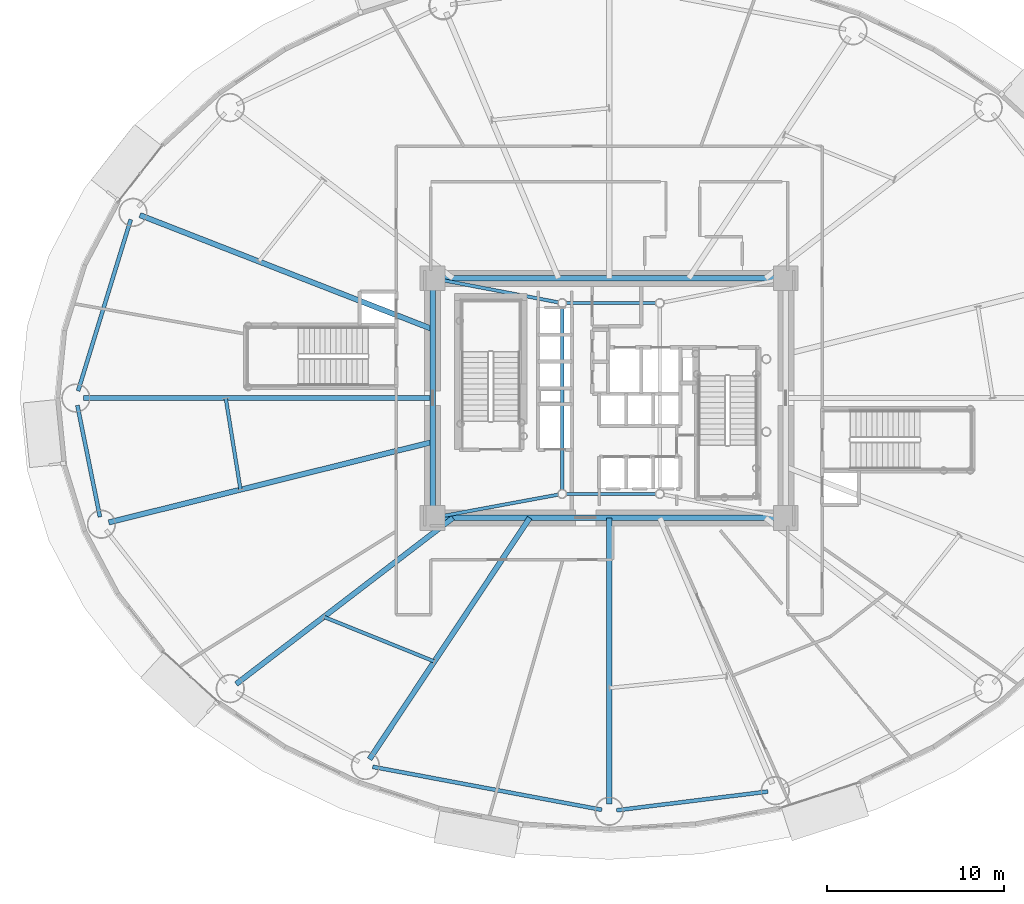
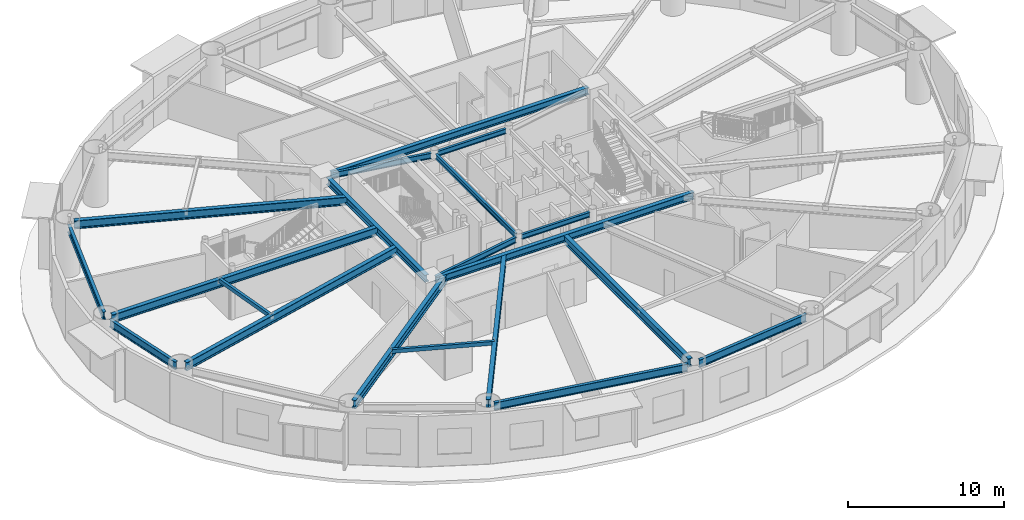
# One storey, part 6 of 35: 20 beams.
"""IFC4 building model written with IfcOpenShell, lengths in metres."""

from ifc_helpers import new_model, si_unit, direction, frame, origin, origin_2d, place, context, subcontext, project, spatial, hollow_rectangle, i_section, extrude, material, material_profile, profile_set, type_object, element, save


model = new_model("IFC4")

# Units and contexts
model_context = context("Model", 3, precision=1e-05, world=origin(), true_north=direction((0.0, 1.0)))
body_context = subcontext(model_context, "Body", "Model", "MODEL_VIEW")
ifc_project = project(units=[si_unit("LENGTHUNIT", "METRE"), si_unit("AREAUNIT", "SQUARE_METRE"), si_unit("VOLUMEUNIT", "CUBIC_METRE"), si_unit("PLANEANGLEUNIT", "RADIAN"), si_unit("MASSUNIT", "GRAM", prefix="KILO")], contexts=[model_context])

# Site, building, storey
site_placement = place(None, origin())
site = spatial("IfcSite", under=ifc_project, at=site_placement, CompositionType="ELEMENT")
building_placement = place(site_placement, origin())
building = spatial("IfcBuilding", under=site, at=building_placement, Name="Linh Dai School and Residence Tower", CompositionType="ELEMENT")
storey_placement = place(building_placement, frame((0.0, 0.0, 32.39990234375)))
storey = spatial("IfcBuildingStorey", under=building, at=storey_placement, Name="L07", CompositionType="ELEMENT", Elevation=32.39990234375)

# Beams
ifc_material = material(Name="Structural Steel S355JR", Category="steel")
ifc_material_profile_1 = material_profile(ifc_material, hollow_rectangle(XDim=0.199951171875, YDim=0.300048828125, WallThickness=0.010009765625, at=origin_2d()), Name="RHS 300x200x10")
ifc_profile_set_1 = profile_set([ifc_material_profile_1], Name="Structural Steel S355JR")
beam_type_1 = type_object("IfcBeamType", Name="BM-BX3", PredefinedType="BEAM", material=ifc_profile_set_1)
beam_1_placement = place(storey_placement, frame((14.392822265625, 26.9951171875, 3.800048828125), z_axis=(0.159632523434, -0.987176507754, 0.0), x_axis=(0.987176507754, 0.159632523434, 0.0)))
element("IfcBeam", 1, at=beam_1_placement, inside=storey, type_object=beam_type_1, Name="L07 Secondary Circumferential Floor Beam 05", PredefinedType="BEAM", context=body_context, shape_type="SweptSolid", body=[
    extrude(hollow_rectangle(XDim=0.199951171875, YDim=0.300048828125, WallThickness=0.010009765625, at=origin_2d()), origin(), (0.0, 0.0, 1.0), 5.21826171875),
])
beam_2_placement = place(storey_placement, frame((19.921875, 14.6689453125, 3.800048828125), z_axis=(0.927542803202, -0.373716935968, 0.0), x_axis=(0.373716935968, 0.927542803202, 0.0)))
element("IfcBeam", 2, at=beam_2_placement, inside=storey, type_object=beam_type_1, Name="L07 Secondary Circumferential Floor Beam 06", PredefinedType="BEAM", context=body_context, shape_type="SweptSolid", body=[
    extrude(hollow_rectangle(XDim=0.199951171875, YDim=0.300048828125, WallThickness=0.010009765625, at=origin_2d()), origin(), (0.0, 0.0, 1.0), 6.709716796875),
])
ifc_material_profile_2 = material_profile(ifc_material, i_section(OverallWidth=0.219970703125, OverallDepth=0.60009765625, WebThickness=0.011962890625, FlangeThickness=0.01904296875, FilletRadius=0.02392578125, at=origin_2d()), Name="IPE 600")
ifc_profile_set_2 = profile_set([ifc_material_profile_2], Name="Structural Steel S355JR")
beam_type_2 = type_object("IfcBeamType", Name="BM-RB60", PredefinedType="BEAM", material=ifc_profile_set_2)
beam_3_placement = place(storey_placement, frame((9.041259765625, 37.062255859375, 3.650146484375), z_axis=(-0.293673329015, -0.95590584046, 0.0), x_axis=(0.95590584046, -0.293673329015, 0.0)))
element("IfcBeam", 3, at=beam_3_placement, inside=storey, type_object=beam_type_2, Name="L07 Perimeter Elliptical Ring Beam 08", PredefinedType="BEAM", context=body_context, shape_type="SweptSolid", body=[
    extrude(i_section(OverallWidth=0.219970703125, OverallDepth=0.60009765625, WebThickness=0.011962890625, FlangeThickness=0.01904296875, FilletRadius=0.02392578125, at=origin_2d()), origin(), (0.0, 0.0, 1.0), 10.1064453125),
])
beam_4_placement = place(storey_placement, frame((6.033447265625, 26.58837890625, 3.650146484375), z_axis=(0.198429171022, -0.980115230005, 0.0), x_axis=(0.980115230005, 0.198429171022, 0.0)))
element("IfcBeam", 4, at=beam_4_placement, inside=storey, type_object=beam_type_2, Name="L07 Perimeter Elliptical Ring Beam 09", PredefinedType="BEAM", context=body_context, shape_type="SweptSolid", body=[
    extrude(i_section(OverallWidth=0.219970703125, OverallDepth=0.60009765625, WebThickness=0.011962890625, FlangeThickness=0.01904296875, FilletRadius=0.02392578125, at=origin_2d()), origin(), (0.0, 0.0, 1.0), 6.41259765625),
])
beam_5_placement = place(storey_placement, frame((22.67431640625, 6.223388671875, 3.650146484375), z_axis=(0.982808389171, -0.184628465236, 0.0), x_axis=(0.184628465236, 0.982808389171, 0.0)))
element("IfcBeam", 5, at=beam_5_placement, inside=storey, type_object=beam_type_2, Name="L07 Perimeter Elliptical Ring Beam 12", PredefinedType="BEAM", context=body_context, shape_type="SweptSolid", body=[
    extrude(i_section(OverallWidth=0.219970703125, OverallDepth=0.60009765625, WebThickness=0.011962890625, FlangeThickness=0.01904296875, FilletRadius=0.02392578125, at=origin_2d()), origin(), (0.0, 0.0, 1.0), 13.138671875),
])
beam_6_placement = place(storey_placement, frame((36.416748046875, 3.771728515625, 3.650146484375), z_axis=(0.99240113372, 0.123044665842, 0.0), x_axis=(-0.123044665842, 0.99240113372, 0.0)))
element("IfcBeam", 6, at=beam_6_placement, inside=storey, type_object=beam_type_2, Name="L07 Perimeter Elliptical Ring Beam 13", PredefinedType="BEAM", context=body_context, shape_type="SweptSolid", body=[
    extrude(i_section(OverallWidth=0.219970703125, OverallDepth=0.60009765625, WebThickness=0.011962890625, FlangeThickness=0.01904296875, FilletRadius=0.02392578125, at=origin_2d()), origin(), (0.0, 0.0, 1.0), 8.58935546875),
])
ifc_material_profile_3 = material_profile(ifc_material, i_section(OverallWidth=0.300048828125, OverallDepth=0.550048828125, WebThickness=0.014892578125, FlangeThickness=0.029052734375, FilletRadius=0.027099609375, at=origin_2d()), Name="HEB 550")
ifc_profile_set_3 = profile_set([ifc_material_profile_3], Name="Structural Steel S355JR")
beam_type_3 = type_object("IfcBeamType", Name="BM-RG55", PredefinedType="BEAM", material=ifc_profile_set_3)
for number, where, z_axis, x_axis, name in (
    (7, (26.469970703125, 20.25, 3.675048828125), (1.0, 0.0, 0.0), (0.0, 1.0, 0.0), "L07 Core Perimeter Coupling Girder 1"),
    (8, (45.530029296875, 33.75, 3.675048828125), (-1.0, 0.0, 0.0), (0.0, -1.0, 0.0), "L07 Core Perimeter Coupling Girder 3"),
):
    element("IfcBeam", number, at=place(storey_placement, frame(where, z_axis=z_axis, x_axis=x_axis)), inside=storey, type_object=beam_type_3, Name=name, PredefinedType="BEAM", context=body_context, shape_type="SweptSolid", body=[
        extrude(i_section(OverallWidth=0.300048828125, OverallDepth=0.550048828125, WebThickness=0.014892578125, FlangeThickness=0.029052734375, FilletRadius=0.027099609375, at=origin_2d()), origin(), (0.0, 0.0, 1.0), 19.06005859375),
    ])
beam_7_placement = place(storey_placement, frame((26.050048828125, 33.330078125, 3.675048828125), z_axis=(0.0, -1.0, 0.0), x_axis=(1.0, 0.0, 0.0)))
element("IfcBeam", 9, at=beam_7_placement, inside=storey, type_object=beam_type_3, Name="L07 Core Perimeter Coupling Girder 4", PredefinedType="BEAM", context=body_context, shape_type="SweptSolid", body=[
    extrude(i_section(OverallWidth=0.300048828125, OverallDepth=0.550048828125, WebThickness=0.014892578125, FlangeThickness=0.029052734375, FilletRadius=0.027099609375, at=origin_2d()), origin(), (0.0, 0.0, 1.0), 12.66015625),
])
ifc_material_profile_4 = material_profile(ifc_material, i_section(OverallWidth=0.300048828125, OverallDepth=0.64990234375, WebThickness=0.01611328125, FlangeThickness=0.031005859375, FilletRadius=0.027099609375, at=origin_2d()), Name="HEB 650")
ifc_profile_set_4 = profile_set([ifc_material_profile_4], Name="Structural Steel S355JR")
beam_type_4 = type_object("IfcBeamType", Name="BM-RG65", PredefinedType="BEAM", material=ifc_profile_set_4)
beam_8_placement = place(storey_placement, frame((26.050048828125, 30.879638671875, 3.625), z_axis=(-0.93167509369, 0.363292609061, 0.0), x_axis=(-0.363292609061, -0.93167509369, 0.0)))
element("IfcBeam", 10, at=beam_8_placement, inside=storey, type_object=beam_type_4, Name="L07 Primary Radial Floor Girder 08", PredefinedType="BEAM", context=body_context, shape_type="SweptSolid", body=[
    extrude(i_section(OverallWidth=0.300048828125, OverallDepth=0.64990234375, WebThickness=0.01611328125, FlangeThickness=0.031005859375, FilletRadius=0.027099609375, at=origin_2d()), origin(), (0.0, 0.0, 1.0), 17.703857421875),
])
beam_9_placement = place(storey_placement, frame((26.050048828125, 27.0, 3.625), z_axis=(-1.0, 0.0, 0.0), x_axis=(0.0, -1.0, 0.0)))
element("IfcBeam", 11, at=beam_9_placement, inside=storey, type_object=beam_type_4, Name="L07 Primary Radial Floor Girder 09", PredefinedType="BEAM", context=body_context, shape_type="SweptSolid", body=[
    extrude(i_section(OverallWidth=0.300048828125, OverallDepth=0.64990234375, WebThickness=0.01611328125, FlangeThickness=0.031005859375, FilletRadius=0.027099609375, at=origin_2d()), origin(), (0.0, 0.0, 1.0), 19.679931640625),
])
beam_10_placement = place(storey_placement, frame((26.050048828125, 24.52783203125, 3.625), z_axis=(-0.970493481328, -0.241127357843, 0.0), x_axis=(0.241127357843, -0.970493481328, 0.0)))
element("IfcBeam", 12, at=beam_10_placement, inside=storey, type_object=beam_type_4, Name="L07 Primary Radial Floor Girder 10", PredefinedType="BEAM", context=body_context, shape_type="SweptSolid", body=[
    extrude(i_section(OverallWidth=0.300048828125, OverallDepth=0.64990234375, WebThickness=0.01611328125, FlangeThickness=0.031005859375, FilletRadius=0.027099609375, at=origin_2d()), origin(), (0.0, 0.0, 1.0), 18.80810546875),
])
beam_11_placement = place(storey_placement, frame((27.195068359375, 20.25, 3.625), z_axis=(-0.793637764155, -0.608390581212, 0.0), x_axis=(0.608390581212, -0.793637764155, 0.0)))
element("IfcBeam", 13, at=beam_11_placement, inside=storey, type_object=beam_type_4, Name="L07 Primary Radial Floor Girder 11", PredefinedType="BEAM", context=body_context, shape_type="SweptSolid", body=[
    extrude(i_section(OverallWidth=0.300048828125, OverallDepth=0.64990234375, WebThickness=0.01611328125, FlangeThickness=0.031005859375, FilletRadius=0.027099609375, at=origin_2d()), origin(), (0.0, 0.0, 1.0), 15.390625),
])
beam_12_placement = place(storey_placement, frame((31.52001953125, 20.25, 3.625), z_axis=(-0.55300421354, -0.833178456158, 0.0), x_axis=(0.833178456158, -0.55300421354, 0.0)))
element("IfcBeam", 14, at=beam_12_placement, inside=storey, type_object=beam_type_4, Name="L07 Primary Radial Floor Girder 12", PredefinedType="BEAM", context=body_context, shape_type="SweptSolid", body=[
    extrude(i_section(OverallWidth=0.300048828125, OverallDepth=0.64990234375, WebThickness=0.01611328125, FlangeThickness=0.031005859375, FilletRadius=0.027099609375, at=origin_2d()), origin(), (0.0, 0.0, 1.0), 16.322021484375),
])
beam_13_placement = place(storey_placement, frame((36.0, 20.25, 3.625), z_axis=(0.0, -1.0, 0.0), x_axis=(1.0, 0.0, 0.0)))
element("IfcBeam", 15, at=beam_13_placement, inside=storey, type_object=beam_type_4, Name="L07 Primary Radial Floor Girder 13", PredefinedType="BEAM", context=body_context, shape_type="SweptSolid", body=[
    extrude(i_section(OverallWidth=0.300048828125, OverallDepth=0.64990234375, WebThickness=0.01611328125, FlangeThickness=0.031005859375, FilletRadius=0.027099609375, at=origin_2d()), origin(), (0.0, 0.0, 1.0), 16.110107421875),
])
ifc_material_profile_5 = material_profile(ifc_material, i_section(OverallWidth=0.179931640625, OverallDepth=0.39990234375, WebThickness=0.008544921875, FlangeThickness=0.013427734375, FilletRadius=0.02099609375, at=origin_2d()), Name="IPE 400")
ifc_profile_set_5 = profile_set([ifc_material_profile_5], Name="Structural Steel S355JR")
beam_type_5 = type_object("IfcBeamType", Name="BM-SB40", PredefinedType="BEAM", material=ifc_profile_set_5)
for number, where, z_axis, x_axis, name in (
    (16, (33.573974609375, 21.60009765625, 3.75), (1.0, 0.0, 0.0), (0.0, 1.0, 0.0), "L07 Core Mast Pier Tie Beam 1"),
    (17, (38.6259765625, 32.35009765625, 3.75), (-1.0, 0.0, 0.0), (0.0, -1.0, 0.0), "L07 Core Mast Pier Tie Beam 3"),
):
    element("IfcBeam", number, at=place(storey_placement, frame(where, z_axis=z_axis, x_axis=x_axis)), inside=storey, type_object=beam_type_5, Name=name, PredefinedType="BEAM", context=body_context, shape_type="SweptSolid", body=[
        extrude(i_section(OverallWidth=0.179931640625, OverallDepth=0.39990234375, WebThickness=0.008544921875, FlangeThickness=0.013427734375, FilletRadius=0.02099609375, at=origin_2d()), origin(), (0.0, 0.0, 1.0), 5.052001953125),
    ])
beam_14_placement = place(storey_placement, frame((33.35009765625, 32.1259765625, 3.75), z_axis=(0.0, -1.0, 0.0), x_axis=(1.0, 0.0, 0.0)))
element("IfcBeam", 18, at=beam_14_placement, inside=storey, type_object=beam_type_5, Name="L07 Core Mast Pier Tie Beam 4", PredefinedType="BEAM", context=body_context, shape_type="SweptSolid", body=[
    extrude(i_section(OverallWidth=0.179931640625, OverallDepth=0.39990234375, WebThickness=0.008544921875, FlangeThickness=0.013427734375, FilletRadius=0.02099609375, at=origin_2d()), origin(), (0.0, 0.0, 1.0), 10.302001953125),
])
ifc_material_profile_6 = material_profile(ifc_material, i_section(OverallWidth=0.18994140625, OverallDepth=0.449951171875, WebThickness=0.009521484375, FlangeThickness=0.0146484375, FilletRadius=0.02099609375, at=origin_2d()), Name="IPE 450")
ifc_profile_set_6 = profile_set([ifc_material_profile_6], Name="Structural Steel S355JR")
beam_type_6 = type_object("IfcBeamType", Name="BM-SB45", PredefinedType="BEAM", material=ifc_profile_set_6)
beam_15_placement = place(storey_placement, frame((26.462890625, 20.326416015625, 3.72509765625), z_axis=(0.983326152819, 0.18185070025, 0.0), x_axis=(-0.18185070025, 0.983326152819, 0.0)))
element("IfcBeam", 19, at=beam_15_placement, inside=storey, type_object=beam_type_6, Name="L07 Core Corner-to-Mast Pier Beam 1", PredefinedType="BEAM", context=body_context, shape_type="SweptSolid", body=[
    extrude(i_section(OverallWidth=0.18994140625, OverallDepth=0.449951171875, WebThickness=0.009521484375, FlangeThickness=0.0146484375, FilletRadius=0.02099609375, at=origin_2d()), origin(), (0.0, 0.0, 1.0), 6.77978515625),
])
beam_16_placement = place(storey_placement, frame((26.46240234375, 33.6708984375, 3.72509765625), z_axis=(0.982100456787, -0.188357884832, 0.0), x_axis=(0.188357884832, 0.982100456787, 0.0)))
element("IfcBeam", 20, at=beam_16_placement, inside=storey, type_object=beam_type_6, Name="L07 Core Corner-to-Mast Pier Beam 4", PredefinedType="BEAM", context=body_context, shape_type="SweptSolid", body=[
    extrude(i_section(OverallWidth=0.18994140625, OverallDepth=0.449951171875, WebThickness=0.009521484375, FlangeThickness=0.0146484375, FilletRadius=0.02099609375, at=origin_2d()), origin(), (0.0, 0.0, 1.0), 6.789306640625),
])

save(model, "model.ifc")
